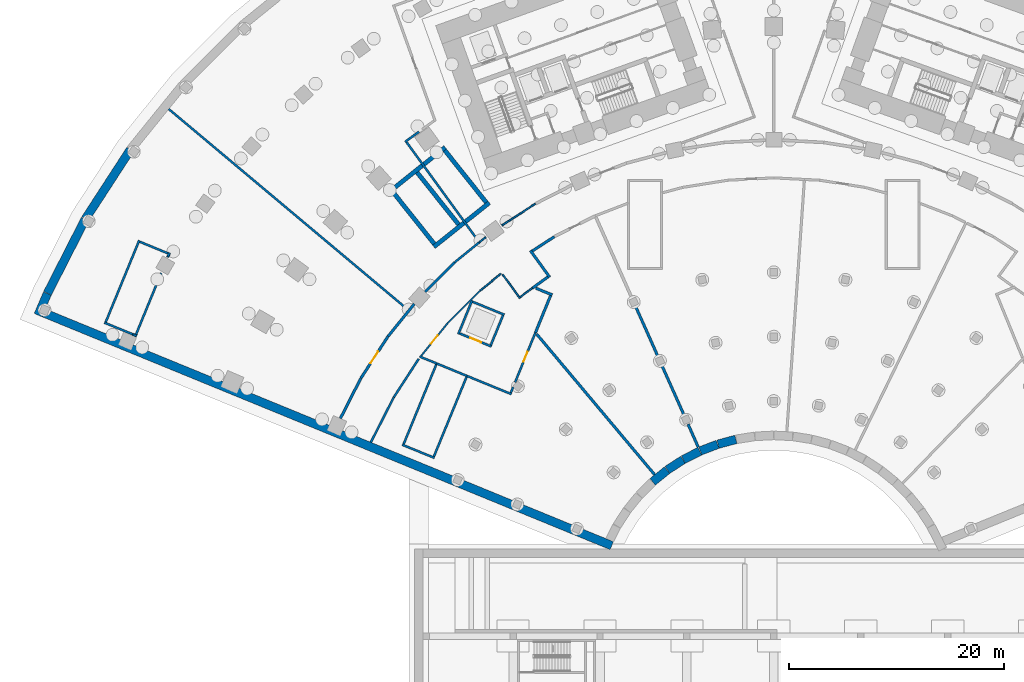
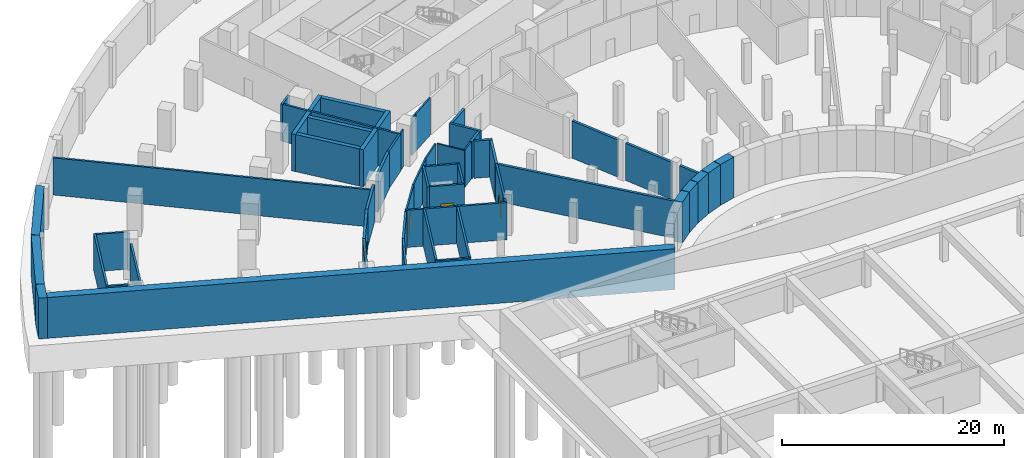
# One storey, part 9 of 25: 59 walls, 4 doors, 4 openings.
"""IFC4 building model written with IfcOpenShell, lengths in metres."""

from ifc_helpers import new_model, si_unit, direction, frame, frame_2d, origin, place, context, subcontext, project, spatial, rectangle, extrude, material, layer, layer_set, type_object, element, fill, save


model = new_model("IFC4")

# Units and contexts
model_context = context("Model", 3, precision=1e-05, world=origin(), true_north=direction((0.0, 1.0)))
body_context = subcontext(model_context, "Body", "Model", "MODEL_VIEW")
ifc_project = project(units=[si_unit("LENGTHUNIT", "METRE"), si_unit("AREAUNIT", "SQUARE_METRE"), si_unit("VOLUMEUNIT", "CUBIC_METRE"), si_unit("PLANEANGLEUNIT", "RADIAN"), si_unit("MASSUNIT", "GRAM", prefix="KILO")], contexts=[model_context])

# Site, building, storey
site_placement = place(None, origin())
site = spatial("IfcSite", under=ifc_project, at=site_placement, CompositionType="ELEMENT")
building_placement = place(site_placement, origin())
building = spatial("IfcBuilding", under=site, at=building_placement, Name="Stone Belt Terrace Tower", CompositionType="ELEMENT")
storey_placement = place(building_placement, frame((0.0, 0.0, -13.5)))
storey = spatial("IfcBuildingStorey", under=building, at=storey_placement, Name="B3", CompositionType="ELEMENT", Elevation=-13.5)

# Walls
ifc_material_1 = material(Name="Concrete B30", Category="concrete")
ifc_layer_1 = layer(ifc_material_1, 0.800048828125)
ifc_layer_set_1 = layer_set([ifc_layer_1], Name="Basement wall 800 B30")
wall_type_1 = type_object("IfcWallType", Name="Basement wall 800 B30", PredefinedType="SHEAR", material=ifc_layer_set_1)
for number, where, z_axis, x_axis, name in (
    (1, (-11.29248046875, 12.57275390625, 0.0), (0.0, 0.0, 1.0), (0.777159277127, 0.629303947211, 0.0), "Basement wall B3 5"),
    (2, (-9.916259765625, 13.68408203125, 0.0), (0.0, 0.0, 1.0), (0.83855986691, 0.544809461745, 0.0), "Basement wall B3 6"),
    (3, (-8.431640625, 14.645751953125, 0.0), (0.0, 0.0, 1.0), (0.890980157198, 0.454042244157, 0.0), "Basement wall B3 7"),
    (4, (-6.8544921875, 15.447021484375, 0.0), (0.0, 0.0, 1.0), (0.933582227874, 0.358363256763, 0.0), "Basement wall B3 8"),
    (5, (-5.202392578125, 16.078857421875, 0.0), (0.0, 0.0, 1.0), (0.965922180197, 0.258832652121, 0.0), "Basement wall B3 9"),
):
    element("IfcWall", number, at=place(storey_placement, frame(where, z_axis=z_axis, x_axis=x_axis)), inside=storey, type_object=wall_type_1, Name=name, PredefinedType="SHEAR", context=body_context, shape_type="SweptSolid", body=[
        extrude(rectangle(XDim=1.72705078125, YDim=0.800048828125, at=frame_2d((0.863525390625, 0.0))), origin(), (0.0, 0.0, 1.0), 4.5),
    ])
wall_1_placement = place(storey_placement, frame((-59.958984375, 43.537109375, 0.0), z_axis=(0.0, 0.0, 1.0), x_axis=(-0.544654589696, -0.838660466412, 0.0)))
element("IfcWall", 6, at=wall_1_placement, inside=storey, type_object=wall_type_1, Name="Basement wall B3 45", PredefinedType="SHEAR", context=body_context, shape_type="SweptSolid", body=[
    extrude(rectangle(XDim=7.71435546875, YDim=0.800048828125, at=frame_2d((3.857177734375, 0.0))), origin(), (0.0, 0.0, 1.0), 4.5),
])
wall_2_placement = place(storey_placement, frame((-64.181396484375, 37.031005859375, 0.0), z_axis=(0.0, 0.0, 1.0), x_axis=(-0.453998176185, -0.891002612803, 0.0)))
element("IfcWall", 7, at=wall_2_placement, inside=storey, type_object=wall_type_1, Name="Basement wall B3 46", PredefinedType="SHEAR", context=body_context, shape_type="SweptSolid", body=[
    extrude(rectangle(XDim=7.729248046875, YDim=0.800048828125, at=frame_2d((3.86474609375, 0.0))), origin(), (0.0, 0.0, 1.0), 4.5),
])
wall_3_placement = place(storey_placement, frame((-67.701904296875, 30.119873046875, 0.0), z_axis=(0.0, 0.0, 1.0), x_axis=(-0.39301958046, -0.919530102485, 0.0)))
element("IfcWall", 8, at=wall_3_placement, inside=storey, type_object=wall_type_1, Name="Basement wall B3 47", PredefinedType="SHEAR", context=body_context, shape_type="SweptSolid", body=[
    extrude(rectangle(XDim=2.194580078125, YDim=0.800048828125, at=frame_2d((1.09716796875, 0.0))), origin(), (0.0, 0.0, 1.0), 4.5),
])
wall_4_placement = place(storey_placement, frame((-68.037109375, 28.318115234375, 0.0), z_axis=(0.0, 0.0, 1.0), x_axis=(0.925297576328, -0.37924186905, 0.0)))
element("IfcWall", 9, at=wall_4_placement, inside=storey, type_object=wall_type_1, Name="Basement wall B3 48", PredefinedType="SHEAR", context=body_context, shape_type="SweptSolid", body=[
    extrude(rectangle(XDim=57.199951171875, YDim=0.800048828125, at=frame_2d((28.60009765625, 0.0))), origin(), (0.0, 0.0, 1.0), 4.5),
])
ifc_layer_2 = layer(ifc_material_1, 0.25)
ifc_layer_set_2 = layer_set([ifc_layer_2], Name="Compartment wall 250")
wall_type_2 = type_object("IfcWallType", Name="Compartment wall 250", PredefinedType="SOLIDWALL", material=ifc_layer_set_2)
wall_5_placement = place(storey_placement, frame((-40.39208984375, 18.488037109375, 0.0), z_axis=(0.0, 0.0, 1.0), x_axis=(0.454112038916, 0.890944586443, 0.0)))
element("IfcWall", 10, at=wall_5_placement, inside=storey, type_object=wall_type_2, Name="Compartment wall B3 1", PredefinedType="SOLIDWALL", context=body_context, shape_type="SweptSolid", body=[
    extrude(rectangle(XDim=4.18212890625, YDim=0.25, at=frame_2d((2.091064453125, 0.0))), origin(), (0.0, 0.0, 1.0), 4.10009765625),
])

# Wall, opening, door
wall_6_placement = place(storey_placement, frame((-38.486572265625, 22.2255859375, 0.0), z_axis=(0.0, 0.0, 1.0), x_axis=(0.544253220019, 0.838920993002, 0.0)))
wall_6 = element("IfcWall", 11, at=wall_6_placement, inside=storey, type_object=wall_type_2, Name="Compartment wall B3 2", PredefinedType="SOLIDWALL", context=body_context, shape_type="SweptSolid", body=[
    extrude(rectangle(XDim=4.635498046875, YDim=0.25, at=frame_2d((2.31787109375, 0.0))), origin(), (0.0, 0.0, 1.0), 4.10009765625),
])
opening_1_placement = place(wall_6_placement, frame((1.667724609375, 0.0, 0.0)))
opening_1 = element("IfcOpeningElement", 12, at=opening_1_placement, cuts=wall_6, Name="Opening B3-P09", PredefinedType="OPENING", context=body_context, shape_type="SweptSolid", body=[
    extrude(rectangle(XDim=1.300048828125, YDim=2.10009765625, at=frame_2d((0.64990234375, 1.050048828125))), frame((0.0, 0.135009765625, 0.0), z_axis=(0.0, -1.0, 0.0), x_axis=(1.0, 0.0, 0.0)), (0.0, 0.0, 1.0), 0.27001953125),
])
ifc_material_2 = material(Name="Steel framed fire door leaf", Category="steel")
door_type_1 = type_object("IfcDoorType", Name="Fire door 1300 x 2100 EI 60", OperationType="SINGLE_SWING_LEFT", PredefinedType="DOOR", material=ifc_material_2)
door_1_placement = place(opening_1_placement, origin())
door_1 = element("IfcDoor", 13, at=door_1_placement, inside=storey, type_object=door_type_1, Name="Fire door 1300 x 2100 EI 60", OperationType="SINGLE_SWING_LEFT", OverallHeight=2.10009765625, OverallWidth=1.300048828125, PredefinedType="DOOR", context=body_context, shape_type="SweptSolid", body=[
    extrude(rectangle(XDim=1.300048828125, YDim=2.10009765625, at=frame_2d((0.64990234375, 1.050048828125))), frame((0.0, 0.02490234375, 0.0), z_axis=(0.0, -1.0, 0.0), x_axis=(1.0, 0.0, 0.0)), (0.0, 0.0, 1.0), 0.050048828125),
])
fill(opening_1, door_1)

# Walls
wall_7_placement = place(storey_placement, frame((-35.955810546875, 26.125, 0.0), z_axis=(0.0, 0.0, 1.0), x_axis=(0.629104116974, 0.777321046934, 0.0)))
element("IfcWall", 14, at=wall_7_placement, inside=storey, type_object=wall_type_2, Name="Compartment wall B3 3", PredefinedType="SOLIDWALL", context=body_context, shape_type="SweptSolid", body=[
    extrude(rectangle(XDim=3.880859375, YDim=0.25, at=frame_2d((1.9404296875, 0.0))), origin(), (0.0, 0.0, 1.0), 4.10009765625),
])
wall_8_placement = place(storey_placement, frame((-32.4853515625, 30.28466796875, 0.0), z_axis=(0.0, 0.0, 1.0), x_axis=(0.707106781187, 0.707106781187, 0.0)))
element("IfcWall", 15, at=wall_8_placement, inside=storey, type_object=wall_type_2, Name="Compartment wall B3 4", PredefinedType="SOLIDWALL", context=body_context, shape_type="SweptSolid", body=[
    extrude(rectangle(XDim=3.8759765625, YDim=0.25, at=frame_2d((1.93798828125, 0.0))), origin(), (0.0, 0.0, 1.0), 4.10009765625),
])
ifc_material_3 = material(Name="Reinforced blockwork wall, plastered both faces", Category="masonry")
ifc_layer_3 = layer(ifc_material_3, 0.25)
ifc_layer_set_3 = layer_set([ifc_layer_3], Name="Podium bund wall 250")
wall_type_3 = type_object("IfcWallType", Name="Podium bund wall 250", PredefinedType="SOLIDWALL", material=ifc_layer_set_3)
wall_9_placement = place(storey_placement, frame((-22.683349609375, 34.121337890625, 0.0), z_axis=(0.0, 0.0, 1.0), x_axis=(0.586261092782, -0.810122170472, 0.0)))
element("IfcWall", 16, at=wall_9_placement, inside=storey, type_object=wall_type_3, Name="Podium bund wall 250", PredefinedType="SOLIDWALL", context=body_context, shape_type="SweptSolid", body=[
    extrude(rectangle(XDim=3.064453125, YDim=0.25, at=frame_2d((1.5322265625, 0.0))), origin(), (0.0, 0.0, 1.0), 4.10009765625),
])
wall_10_placement = place(storey_placement, frame((-22.5048828125, 34.088134765625, 0.0), z_axis=(0.0, 0.0, 1.0), x_axis=(0.839132707477, 0.543926740694, 0.0)))
element("IfcWall", 17, at=wall_10_placement, inside=storey, type_object=wall_type_3, Name="Podium bund wall 250", PredefinedType="SOLIDWALL", context=body_context, shape_type="SweptSolid", body=[
    extrude(rectangle(XDim=2.442138671875, YDim=0.25, at=frame_2d((1.22119140625, 0.0))), origin(), (0.0, 0.0, 1.0), 4.10009765625),
])
wall_11_placement = place(storey_placement, frame((-22.509033203125, 30.61328125, 0.0), z_axis=(0.0, 0.0, 1.0), x_axis=(0.808700705156, 0.588220340928, 0.0)))
element("IfcWall", 18, at=wall_11_placement, inside=storey, type_object=wall_type_3, Name="Podium bund wall 250", PredefinedType="SOLIDWALL", context=body_context, shape_type="SweptSolid", body=[
    extrude(rectangle(XDim=1.79052734375, YDim=0.25, at=frame_2d((0.895263671875, 0.0))), origin(), (0.0, 0.0, 1.0), 4.10009765625),
])
wall_12_placement = place(storey_placement, frame((-22.18115234375, 30.615478515625, 0.0), z_axis=(0.0, 0.0, 1.0), x_axis=(0.926915113616, -0.375271064899, 0.0)))
element("IfcWall", 19, at=wall_12_placement, inside=storey, type_object=wall_type_3, Name="Podium bund wall 250", PredefinedType="SOLIDWALL", context=body_context, shape_type="SweptSolid", body=[
    extrude(rectangle(XDim=1.658203125, YDim=0.25, at=frame_2d((0.8291015625, 0.0))), origin(), (0.0, 0.0, 1.0), 4.10009765625),
])
wall_13_placement = place(storey_placement, frame((-22.219970703125, 26.469970703125, 0.0), z_axis=(0.0, 0.0, 1.0), x_axis=(0.378508027221, 0.925598008495, 0.0)))
element("IfcWall", 20, at=wall_13_placement, inside=storey, type_object=wall_type_3, Name="Podium bund wall 250", PredefinedType="SOLIDWALL", context=body_context, shape_type="SweptSolid", body=[
    extrude(rectangle(XDim=3.73193359375, YDim=0.25, at=frame_2d((1.865966796875, 0.0))), origin(), (0.0, 0.0, 1.0), 4.10009765625),
])
wall_14_placement = place(storey_placement, frame((-22.10498046875, 26.343017578125, 0.0), z_axis=(0.0, 0.0, 1.0), x_axis=(0.642794683569, -0.766038507372, 0.0)))
element("IfcWall", 21, at=wall_14_placement, inside=storey, type_object=wall_type_3, Name="Podium bund wall 250", PredefinedType="SOLIDWALL", context=body_context, shape_type="SweptSolid", body=[
    extrude(rectangle(XDim=17.10546875, YDim=0.25, at=frame_2d((8.552734375, 0.0))), origin(), (0.0, 0.0, 1.0), 4.10009765625),
])
for number, where, z_axis, x_axis, name in (
    (22, (-12.878173828125, 28.91162109375, 0.0), (0.0, 0.0, 1.0), (0.406746861095, -0.913540908219, 0.0), "Podium bund wall 250"),
    (23, (-10.4375, 23.430419921875, 0.0), (0.0, 0.0, 1.0), (0.406746861095, -0.913540908219, 0.0), "Podium bund wall 250"),
):
    element("IfcWall", number, at=place(storey_placement, frame(where, z_axis=z_axis, x_axis=x_axis)), inside=storey, type_object=wall_type_3, Name=name, PredefinedType="SOLIDWALL", context=body_context, shape_type="SweptSolid", body=[
        extrude(rectangle(XDim=5.10009765625, YDim=0.25, at=frame_2d((2.550048828125, 0.0))), origin(), (0.0, 0.0, 1.0), 4.10009765625),
    ])
wall_15_placement = place(storey_placement, frame((-7.9970703125, 17.94921875, 0.0), z_axis=(0.0, 0.0, 1.0), x_axis=(0.406755168967, -0.913537209159, 0.0)))
element("IfcWall", 24, at=wall_15_placement, inside=storey, type_object=wall_type_3, Name="Podium bund wall 250", PredefinedType="SOLIDWALL", context=body_context, shape_type="SweptSolid", body=[
    extrude(rectangle(XDim=2.350341796875, YDim=0.25, at=frame_2d((1.17529296875, 0.0))), origin(), (0.0, 0.0, 1.0), 4.10009765625),
])
ifc_material_4 = material(Name="Blockwork wall, plastered both faces", Category="masonry")
ifc_layer_4 = layer(ifc_material_4, 0.199951171875)
ifc_layer_set_4 = layer_set([ifc_layer_4], Name="Podium demising wall 200")
wall_type_4 = type_object("IfcWallType", Name="Podium demising wall 200", PredefinedType="PARTITIONING", material=ifc_layer_set_4)
wall_16_placement = place(storey_placement, frame((-56.388427734375, 47.30859375, 0.0), z_axis=(0.0, 0.0, 1.0), x_axis=(0.766140216412, -0.642673454249, 0.0)))
element("IfcWall", 25, at=wall_16_placement, inside=storey, type_object=wall_type_4, Name="Podium demising wall 200", PredefinedType="PARTITIONING", context=body_context, shape_type="SweptSolid", body=[
    extrude(rectangle(XDim=29.087158203125, YDim=0.199951171875, at=frame_2d((14.54345703125, 0.0))), origin(), (0.0, 0.0, 1.0), 4.10009765625),
])
wall_17_placement = place(storey_placement, frame((-37.550537109375, 16.264892578125, 0.0), z_axis=(0.0, 0.0, 1.0), x_axis=(0.453666479384, 0.891171546608, 0.0)))
element("IfcWall", 26, at=wall_17_placement, inside=storey, type_object=wall_type_4, Name="Podium demising wall 200", PredefinedType="PARTITIONING", context=body_context, shape_type="SweptSolid", body=[
    extrude(rectangle(XDim=4.682861328125, YDim=0.199951171875, at=frame_2d((2.34130859375, 0.0))), origin(), (0.0, 0.0, 1.0), 4.10009765625),
])
wall_18_placement = place(storey_placement, frame((-35.4169921875, 20.454345703125, 0.0), z_axis=(0.0, 0.0, 1.0), x_axis=(0.544379260043, 0.838839210597, 0.0)))
element("IfcWall", 27, at=wall_18_placement, inside=storey, type_object=wall_type_4, Name="Podium demising wall 200", PredefinedType="PARTITIONING", context=body_context, shape_type="SweptSolid", body=[
    extrude(rectangle(XDim=4.27001953125, YDim=0.199951171875, at=frame_2d((2.135009765625, 0.0))), origin(), (0.0, 0.0, 1.0), 4.10009765625),
])
wall_19_placement = place(storey_placement, frame((-34.370849609375, 44.251220703125, 0.0), z_axis=(0.0, 0.0, 1.0), x_axis=(0.809241899996, 0.587475571654, 0.0)))
element("IfcWall", 28, at=wall_19_placement, inside=storey, type_object=wall_type_4, Name="Podium demising wall 200", PredefinedType="PARTITIONING", context=body_context, shape_type="SweptSolid", body=[
    extrude(rectangle(XDim=1.606201171875, YDim=0.199951171875, at=frame_2d((0.80322265625, 0.0))), origin(), (0.0, 0.0, 1.0), 4.10009765625),
])
wall_20_placement = place(storey_placement, frame((-34.231201171875, 44.22900390625, 0.0), z_axis=(0.0, 0.0, 1.0), x_axis=(0.58755870692, -0.80918154077, 0.0)))
element("IfcWall", 29, at=wall_20_placement, inside=storey, type_object=wall_type_4, Name="Podium demising wall 200", PredefinedType="PARTITIONING", context=body_context, shape_type="SweptSolid", body=[
    extrude(rectangle(XDim=11.441162109375, YDim=0.199951171875, at=frame_2d((5.720703125, 0.0))), origin(), (0.0, 0.0, 1.0), 4.10009765625),
])
wall_21_placement = place(storey_placement, frame((-33.012451171875, 24.24951171875, 0.0), z_axis=(0.0, 0.0, 1.0), x_axis=(0.925948983582, -0.377648619492, 0.0)))
element("IfcWall", 30, at=wall_21_placement, inside=storey, type_object=wall_type_4, Name="Podium demising wall 200", PredefinedType="PARTITIONING", context=body_context, shape_type="SweptSolid", body=[
    extrude(rectangle(XDim=1.7197265625, YDim=0.199951171875, at=frame_2d((0.85986328125, 0.0))), origin(), (0.0, 0.0, 1.0), 4.10009765625),
])
wall_22_placement = place(storey_placement, frame((-29.736083984375, 33.033203125, 0.0), z_axis=(0.0, 0.0, 1.0), x_axis=(0.776212887967, 0.630470897468, 0.0)))
element("IfcWall", 31, at=wall_22_placement, inside=storey, type_object=wall_type_4, Name="Podium demising wall 200", PredefinedType="PARTITIONING", context=body_context, shape_type="SweptSolid", body=[
    extrude(rectangle(XDim=2.94482421875, YDim=0.199951171875, at=frame_2d((1.472412109375, 0.0))), origin(), (0.0, 0.0, 1.0), 4.10009765625),
])
wall_23_placement = place(storey_placement, frame((-28.599853515625, 22.43994140625, 0.0), z_axis=(0.0, 0.0, 1.0), x_axis=(0.92529917807, -0.379237961001, 0.0)))
element("IfcWall", 32, at=wall_23_placement, inside=storey, type_object=wall_type_4, Name="Podium demising wall 200", PredefinedType="PARTITIONING", context=body_context, shape_type="SweptSolid", body=[
    extrude(rectangle(XDim=4.476806640625, YDim=0.199951171875, at=frame_2d((2.23828125, 0.0))), origin(), (0.0, 0.0, 1.0), 4.10009765625),
])
wall_24_placement = place(storey_placement, frame((-24.51220703125, 20.87255859375, 0.0), z_axis=(0.0, 0.0, 1.0), x_axis=(0.378280918499, 0.92569084834, 0.0)))
element("IfcWall", 33, at=wall_24_placement, inside=storey, type_object=wall_type_4, Name="Podium demising wall 200", PredefinedType="PARTITIONING", context=body_context, shape_type="SweptSolid", body=[
    extrude(rectangle(XDim=0.5673828125, YDim=0.199951171875, at=frame_2d((0.28369140625, 0.0))), origin(), (0.0, 0.0, 1.0), 4.10009765625),
])

# Wall, opening, door
wall_25_placement = place(storey_placement, frame((-24.11376953125, 21.84716796875, 0.0), z_axis=(0.0, 0.0, 1.0), x_axis=(0.378358735117, 0.925659044984, 0.0)))
wall_25 = element("IfcWall", 34, at=wall_25_placement, inside=storey, type_object=wall_type_4, Name="Podium demising wall 200", PredefinedType="PARTITIONING", context=body_context, shape_type="SweptSolid", body=[
    extrude(rectangle(XDim=4.994384765625, YDim=0.199951171875, at=frame_2d((2.4970703125, 0.0))), origin(), (0.0, 0.0, 1.0), 4.10009765625),
])
opening_2_placement = place(wall_25_placement, frame((2.072998046875, 0.0, 0.0)))
opening_2 = element("IfcOpeningElement", 35, at=opening_2_placement, cuts=wall_25, Name="Opening B3-P03", PredefinedType="OPENING", context=body_context, shape_type="SweptSolid", body=[
    extrude(rectangle(XDim=1.0, YDim=2.10009765625, at=frame_2d((0.5, 1.050048828125))), frame((0.0, 0.10986328125, 0.0), z_axis=(0.0, -1.0, 0.0), x_axis=(1.0, 0.0, 0.0)), (0.0, 0.0, 1.0), 0.219970703125),
])
ifc_material_5 = material(Name="Steel framed door leaf", Category="steel")
door_type_2 = type_object("IfcDoorType", Name="Podium door single 1000", OperationType="SINGLE_SWING_LEFT", PredefinedType="DOOR", material=ifc_material_5)
door_2_placement = place(opening_2_placement, origin())
door_2 = element("IfcDoor", 36, at=door_2_placement, inside=storey, type_object=door_type_2, Name="Podium door single 1000", OperationType="SINGLE_SWING_LEFT", OverallHeight=2.10009765625, OverallWidth=1.0, PredefinedType="DOOR", context=body_context, shape_type="SweptSolid", body=[
    extrude(rectangle(XDim=1.0, YDim=2.10009765625, at=frame_2d((0.5, 1.050048828125))), frame((0.0, 0.02490234375, 0.0), z_axis=(0.0, -1.0, 0.0), x_axis=(1.0, 0.0, 0.0)), (0.0, 0.0, 1.0), 0.050048828125),
])
fill(opening_2, door_2)

# Wall
ifc_layer_5 = layer(ifc_material_3, 0.199951171875)
ifc_layer_set_5 = layer_set([ifc_layer_5], Name="Podium lift shaft wall 200")
wall_type_5 = type_object("IfcWallType", Name="Podium lift shaft wall 200", PredefinedType="SOLIDWALL", material=ifc_layer_set_5)
wall_26_placement = place(storey_placement, frame((-29.40771484375, 26.33740234375, 0.0), z_axis=(0.0, 0.0, 1.0), x_axis=(0.378305478066, 0.925680811762, 0.0)))
element("IfcWall", 37, at=wall_26_placement, inside=storey, type_object=wall_type_5, Name="Podium lift shaft wall 200", PredefinedType="SOLIDWALL", context=body_context, shape_type="SweptSolid", body=[
    extrude(rectangle(XDim=3.397705078125, YDim=0.199951171875, at=frame_2d((1.69873046875, 0.0))), origin(), (0.0, 0.0, 1.0), 4.10009765625),
])

# Wall, opening, door
wall_27_placement = place(storey_placement, frame((-29.27734375, 26.39208984375, 0.0), z_axis=(0.0, 0.0, 1.0), x_axis=(0.92564908085, -0.378383111571, 0.0)))
wall_27 = element("IfcWall", 38, at=wall_27_placement, inside=storey, type_object=wall_type_5, Name="Podium lift shaft wall 200", PredefinedType="SOLIDWALL", context=body_context, shape_type="SweptSolid", body=[
    extrude(rectangle(XDim=3.19775390625, YDim=0.199951171875, at=frame_2d((1.598876953125, 0.0))), origin(), (0.0, 0.0, 1.0), 4.10009765625),
])
opening_3_placement = place(wall_27_placement, frame((1.048828125, 0.0, 0.0)))
opening_3 = element("IfcOpeningElement", 39, at=opening_3_placement, cuts=wall_27, Name="Opening B3-P01", PredefinedType="OPENING", context=body_context, shape_type="SweptSolid", body=[
    extrude(rectangle(XDim=1.10009765625, YDim=2.10009765625, at=frame_2d((0.550048828125, 1.050048828125))), frame((0.0, 0.10986328125, 0.0), z_axis=(0.0, -1.0, 0.0), x_axis=(1.0, 0.0, 0.0)), (0.0, 0.0, 1.0), 0.219970703125),
])
ifc_material_6 = material(Name="Stainless steel sliding landing door leaf", Category="steel")
door_type_3 = type_object("IfcDoorType", Name="Podium landing door 1100", OperationType="SLIDING_TO_LEFT", PredefinedType="DOOR", material=ifc_material_6)
door_3_placement = place(opening_3_placement, origin())
door_3 = element("IfcDoor", 40, at=door_3_placement, inside=storey, type_object=door_type_3, Name="Podium landing door 1100", OperationType="SLIDING_TO_LEFT", OverallHeight=2.10009765625, OverallWidth=1.10009765625, PredefinedType="DOOR", context=body_context, shape_type="SweptSolid", body=[
    extrude(rectangle(XDim=1.10009765625, YDim=2.10009765625, at=frame_2d((0.550048828125, 1.050048828125))), frame((0.0, 0.02490234375, 0.0), z_axis=(0.0, -1.0, 0.0), x_axis=(1.0, 0.0, 0.0)), (0.0, 0.0, 1.0), 0.050048828125),
])
fill(opening_3, door_3)

# Walls
wall_28_placement = place(storey_placement, frame((-28.0673828125, 29.352294921875, 0.0), z_axis=(0.0, 0.0, 1.0), x_axis=(0.925622338254, -0.378448526124, 0.0)))
element("IfcWall", 41, at=wall_28_placement, inside=storey, type_object=wall_type_5, Name="Podium lift shaft wall 200", PredefinedType="SOLIDWALL", context=body_context, shape_type="SweptSolid", body=[
    extrude(rectangle(XDim=3.19775390625, YDim=0.199951171875, at=frame_2d((1.598876953125, 0.0))), origin(), (0.0, 0.0, 1.0), 4.10009765625),
])
wall_29_placement = place(storey_placement, frame((-26.372314453125, 25.3125, 0.0), z_axis=(0.0, 0.0, 1.0), x_axis=(0.378442575395, 0.925624771237, 0.0)))
element("IfcWall", 42, at=wall_29_placement, inside=storey, type_object=wall_type_5, Name="Podium lift shaft wall 200", PredefinedType="SOLIDWALL", context=body_context, shape_type="SweptSolid", body=[
    extrude(rectangle(XDim=2.997802734375, YDim=0.199951171875, at=frame_2d((1.4990234375, 0.0))), origin(), (0.0, 0.0, 1.0), 4.10009765625),
])

# Wall, opening, door
ifc_material_7 = material(Name="Gypsum board on steel stud partition", Category="steel")
ifc_layer_6 = layer(ifc_material_7, 0.14990234375)
ifc_layer_set_6 = layer_set([ifc_layer_6], Name="Podium partition 150")
wall_type_6 = type_object("IfcWallType", Name="Podium partition 150", PredefinedType="PARTITIONING", material=ifc_layer_set_6)
wall_30_placement = place(storey_placement, frame((-32.8603515625, 24.318359375, 0.0), z_axis=(0.0, 0.0, 1.0), x_axis=(0.62917853157, 0.777260815564, 0.0)))
wall_30 = element("IfcWall", 43, at=wall_30_placement, inside=storey, type_object=wall_type_6, Name="Podium partition 150", PredefinedType="PARTITIONING", context=body_context, shape_type="SweptSolid", body=[
    extrude(rectangle(XDim=3.922119140625, YDim=0.14990234375, at=frame_2d((1.9609375, 0.0))), origin(), (0.0, 0.0, 1.0), 4.10009765625),
])
opening_4_placement = place(wall_30_placement, frame((1.4501953125, 0.0, 0.0)))
opening_4 = element("IfcOpeningElement", 44, at=opening_4_placement, cuts=wall_30, Name="Opening B3-P17", PredefinedType="OPENING", context=body_context, shape_type="SweptSolid", body=[
    extrude(rectangle(XDim=1.0, YDim=2.10009765625, at=frame_2d((0.5, 1.050048828125))), frame((0.0, 0.0849609375, 0.0), z_axis=(0.0, -1.0, 0.0), x_axis=(1.0, 0.0, 0.0)), (0.0, 0.0, 1.0), 0.169921875),
])
door_4_placement = place(opening_4_placement, origin())
door_4 = element("IfcDoor", 45, at=door_4_placement, inside=storey, type_object=door_type_2, Name="Podium door single 1000", OperationType="SINGLE_SWING_LEFT", OverallHeight=2.10009765625, OverallWidth=1.0, PredefinedType="DOOR", context=body_context, shape_type="SweptSolid", body=[
    extrude(rectangle(XDim=1.0, YDim=2.10009765625, at=frame_2d((0.5, 1.050048828125))), frame((0.0, 0.02490234375, 0.0), z_axis=(0.0, -1.0, 0.0), x_axis=(1.0, 0.0, 0.0)), (0.0, 0.0, 1.0), 0.050048828125),
])
fill(opening_4, door_4)

# Walls
wall_31_placement = place(storey_placement, frame((-30.38720703125, 27.372802734375, 0.0), z_axis=(0.0, 0.0, 1.0), x_axis=(0.707106781187, 0.707106781187, 0.0)))
element("IfcWall", 46, at=wall_31_placement, inside=storey, type_object=wall_type_6, Name="Podium partition 150", PredefinedType="PARTITIONING", context=body_context, shape_type="SweptSolid", body=[
    extrude(rectangle(XDim=4.262939453125, YDim=0.14990234375, at=frame_2d((2.13134765625, 0.0))), origin(), (0.0, 0.0, 1.0), 4.10009765625),
])
wall_32_placement = place(storey_placement, frame((-27.449951171875, 34.89013671875, 0.0), z_axis=(0.0, 0.0, 1.0), x_axis=(0.779230244659, 0.626737764786, 0.0)))
element("IfcWall", 47, at=wall_32_placement, inside=storey, type_object=wall_type_6, Name="Podium partition 150", PredefinedType="PARTITIONING", context=body_context, shape_type="SweptSolid", body=[
    extrude(rectangle(XDim=0.771728515625, YDim=0.14990234375, at=frame_2d((0.3857421875, 0.0))), origin(), (0.0, 0.0, 1.0), 4.10009765625),
])
wall_33_placement = place(storey_placement, frame((-27.366943359375, 30.392333984375, 0.0), z_axis=(0.0, 0.0, 1.0), x_axis=(0.775732065022, 0.631062408401, 0.0)))
element("IfcWall", 48, at=wall_33_placement, inside=storey, type_object=wall_type_6, Name="Podium partition 150", PredefinedType="PARTITIONING", context=body_context, shape_type="SweptSolid", body=[
    extrude(rectangle(XDim=2.484130859375, YDim=0.14990234375, at=frame_2d((1.2421875, 0.0))), origin(), (0.0, 0.0, 1.0), 4.10009765625),
])
wall_34_placement = place(storey_placement, frame((-25.34375, 36.462890625, 0.0), z_axis=(0.0, 0.0, 1.0), x_axis=(0.839322427223, 0.543633942244, 0.0)))
element("IfcWall", 49, at=wall_34_placement, inside=storey, type_object=wall_type_6, Name="Podium partition 150", PredefinedType="PARTITIONING", context=body_context, shape_type="SweptSolid", body=[
    extrude(rectangle(XDim=0.76708984375, YDim=0.14990234375, at=frame_2d((0.383544921875, 0.0))), origin(), (0.0, 0.0, 1.0), 4.10009765625),
])
wall_35_placement = place(storey_placement, frame((-25.27001953125, 31.889892578125, 0.0), z_axis=(0.0, 0.0, 1.0), x_axis=(0.587267804514, -0.809392689479, 0.0)))
element("IfcWall", 50, at=wall_35_placement, inside=storey, type_object=wall_type_6, Name="Podium partition 150", PredefinedType="PARTITIONING", context=body_context, shape_type="SweptSolid", body=[
    extrude(rectangle(XDim=2.731201171875, YDim=0.14990234375, at=frame_2d((1.36572265625, 0.0))), origin(), (0.0, 0.0, 1.0), 4.10009765625),
])
wall_36_placement = place(storey_placement, frame((-24.699951171875, 36.8798828125, 0.0), z_axis=(0.0, 0.0, 1.0), x_axis=(0.838730636124, 0.544546526963, 0.0)))
element("IfcWall", 51, at=wall_36_placement, inside=storey, type_object=wall_type_6, Name="Podium partition 150", PredefinedType="PARTITIONING", context=body_context, shape_type="SweptSolid", body=[
    extrude(rectangle(XDim=2.95263671875, YDim=0.14990234375, at=frame_2d((1.476318359375, 0.0))), origin(), (0.0, 0.0, 1.0), 4.10009765625),
])
wall_37_placement = place(storey_placement, frame((-23.649658203125, 29.784423828125, 0.0), z_axis=(0.0, 0.0, 1.0), x_axis=(0.805804200188, 0.592182058964, 0.0)))
element("IfcWall", 52, at=wall_37_placement, inside=storey, type_object=wall_type_6, Name="Podium partition 150", PredefinedType="PARTITIONING", context=body_context, shape_type="SweptSolid", body=[
    extrude(rectangle(XDim=1.4091796875, YDim=0.14990234375, at=frame_2d((0.70458984375, 0.0))), origin(), (0.0, 0.0, 1.0), 4.10009765625),
])
ifc_layer_7 = layer(ifc_material_1, 0.199951171875)
ifc_layer_set_7 = layer_set([ifc_layer_7], Name="Podium stair and shaft wall 200")
wall_type_7 = type_object("IfcWallType", Name="Podium stair and shaft wall 200", PredefinedType="SOLIDWALL", material=ifc_layer_set_7)
wall_38_placement = place(storey_placement, frame((-62.392578125, 27.407958984375, 0.0), z_axis=(0.0, 0.0, 1.0), x_axis=(0.924848362186, -0.380336044783, 0.0)))
element("IfcWall", 53, at=wall_38_placement, inside=storey, type_object=wall_type_7, Name="Podium stair and shaft wall 200", PredefinedType="SOLIDWALL", context=body_context, shape_type="SweptSolid", body=[
    extrude(rectangle(XDim=2.87890625, YDim=0.199951171875, at=frame_2d((1.439453125, 0.0))), origin(), (0.0, 0.0, 1.0), 4.10009765625),
])
wall_39_placement = place(storey_placement, frame((-59.72998046875, 26.31298828125, 0.0), z_axis=(0.0, 0.0, 1.0), x_axis=(0.924841834944, -0.380351916438, 0.0)))
element("IfcWall", 54, at=wall_39_placement, inside=storey, type_object=wall_type_7, Name="Podium stair and shaft wall 200", PredefinedType="SOLIDWALL", context=body_context, shape_type="SweptSolid", body=[
    extrude(rectangle(XDim=0.370361328125, YDim=0.199951171875, at=frame_2d((0.18505859375, 0.0))), origin(), (0.0, 0.0, 1.0), 4.10009765625),
])
wall_40_placement = place(storey_placement, frame((-62.26220703125, 27.46240234375, 0.0), z_axis=(0.0, 0.0, 1.0), x_axis=(0.379350485872, 0.925253051261, 0.0)))
element("IfcWall", 55, at=wall_40_placement, inside=storey, type_object=wall_type_7, Name="Podium stair and shaft wall 200", PredefinedType="SOLIDWALL", context=body_context, shape_type="SweptSolid", body=[
    extrude(rectangle(XDim=8.224853515625, YDim=0.199951171875, at=frame_2d((4.1123046875, 0.0))), origin(), (0.0, 0.0, 1.0), 4.10009765625),
])
wall_41_placement = place(storey_placement, frame((-59.442138671875, 26.302490234375, 0.0), z_axis=(0.0, 0.0, 1.0), x_axis=(0.37933470683, 0.925259520456, 0.0)))
element("IfcWall", 56, at=wall_41_placement, inside=storey, type_object=wall_type_7, Name="Podium stair and shaft wall 200", PredefinedType="SOLIDWALL", context=body_context, shape_type="SweptSolid", body=[
    extrude(rectangle(XDim=6.18896484375, YDim=0.199951171875, at=frame_2d((3.094482421875, 0.0))), origin(), (0.0, 0.0, 1.0), 4.10009765625),
])
wall_42_placement = place(storey_placement, frame((-56.48291015625, 33.5205078125, 0.0), z_axis=(0.0, 0.0, 1.0), x_axis=(0.379619568947, 0.92514268244, 0.0)))
element("IfcWall", 57, at=wall_42_placement, inside=storey, type_object=wall_type_7, Name="Podium stair and shaft wall 200", PredefinedType="SOLIDWALL", context=body_context, shape_type="SweptSolid", body=[
    extrude(rectangle(XDim=0.423828125, YDim=0.199951171875, at=frame_2d((0.2119140625, 0.0))), origin(), (0.0, 0.0, 1.0), 4.10009765625),
])
wall_43_placement = place(storey_placement, frame((-59.08740234375, 34.94189453125, 0.0), z_axis=(0.0, 0.0, 1.0), x_axis=(0.924804041084, -0.380443800835, 0.0)))
element("IfcWall", 58, at=wall_43_placement, inside=storey, type_object=wall_type_7, Name="Podium stair and shaft wall 200", PredefinedType="SOLIDWALL", context=body_context, shape_type="SweptSolid", body=[
    extrude(rectangle(XDim=2.849365234375, YDim=0.199951171875, at=frame_2d((1.4248046875, 0.0))), origin(), (0.0, 0.0, 1.0), 4.10009765625),
])
wall_44_placement = place(storey_placement, frame((-34.632568359375, 16.02783203125, 0.0), z_axis=(0.0, 0.0, 1.0), x_axis=(0.925955033423, -0.377633785668, 0.0)))
element("IfcWall", 59, at=wall_44_placement, inside=storey, type_object=wall_type_7, Name="Podium stair and shaft wall 200", PredefinedType="SOLIDWALL", context=body_context, shape_type="SweptSolid", body=[
    extrude(rectangle(XDim=3.245361328125, YDim=0.199951171875, at=frame_2d((1.62255859375, 0.0))), origin(), (0.0, 0.0, 1.0), 4.10009765625),
])
wall_45_placement = place(storey_placement, frame((-34.502197265625, 16.08251953125, 0.0), z_axis=(0.0, 0.0, 1.0), x_axis=(0.379344686309, 0.925255429041, 0.0)))
element("IfcWall", 60, at=wall_45_placement, inside=storey, type_object=wall_type_7, Name="Podium stair and shaft wall 200", PredefinedType="SOLIDWALL", context=body_context, shape_type="SweptSolid", body=[
    extrude(rectangle(XDim=8.02490234375, YDim=0.199951171875, at=frame_2d((4.012451171875, 0.0))), origin(), (0.0, 0.0, 1.0), 4.10009765625),
])
wall_46_placement = place(storey_placement, frame((-31.681884765625, 14.9326171875, 0.0), z_axis=(0.0, 0.0, 1.0), x_axis=(0.379767590841, 0.925081929856, 0.0)))
element("IfcWall", 61, at=wall_46_placement, inside=storey, type_object=wall_type_7, Name="Podium stair and shaft wall 200", PredefinedType="SOLIDWALL", context=body_context, shape_type="SweptSolid", body=[
    extrude(rectangle(XDim=8.015380859375, YDim=0.199951171875, at=frame_2d((4.0078125, 0.0))), origin(), (0.0, 0.0, 1.0), 4.10009765625),
])
wall_47_placement = place(storey_placement, frame((-31.419921875, 23.599853515625, 0.0), z_axis=(0.0, 0.0, 1.0), x_axis=(0.924815674246, -0.380415521068, 0.0)))
element("IfcWall", 62, at=wall_47_placement, inside=storey, type_object=wall_type_7, Name="Podium stair and shaft wall 200", PredefinedType="SOLIDWALL", context=body_context, shape_type="SweptSolid", body=[
    extrude(rectangle(XDim=3.049072265625, YDim=0.199951171875, at=frame_2d((1.5244140625, 0.0))), origin(), (0.0, 0.0, 1.0), 4.10009765625),
])
ifc_material_8 = material(Name="Concrete B80", Category="concrete")
ifc_layer_8 = layer(ifc_material_8, 0.39990234375)
ifc_layer_set_8 = layer_set([ifc_layer_8], Name="Stair enclosure wall 400")
wall_type_8 = type_object("IfcWallType", Name="Stair enclosure wall 400", PredefinedType="SHEAR", material=ifc_layer_set_8)
for number, where, z_axis, x_axis, name in (
    (63, (-26.518798828125, 38.58154296875, 0.0), (0.0, 0.0, 1.0), (-0.782133914161, -0.623110375711, 0.0), "Exit stair ST3A wall base"),
    (64, (-30.63134765625, 43.74365234375, 0.0), (0.0, 0.0, 1.0), (-0.782133914161, -0.623110375711, 0.0), "Exit stair ST3A wall base"),
):
    element("IfcWall", number, at=place(storey_placement, frame(where, z_axis=z_axis, x_axis=x_axis)), inside=storey, type_object=wall_type_8, Name=name, PredefinedType="SHEAR", context=body_context, shape_type="SweptSolid", body=[
        extrude(rectangle(XDim=6.60009765625, YDim=0.39990234375, at=frame_2d((3.300048828125, 0.0))), origin(), (0.0, 0.0, 1.0), 4.10009765625),
    ])
for number, where, z_axis, x_axis, name in (
    (65, (-26.7998046875, 38.61328125, 0.0), (0.0, 0.0, 1.0), (-0.623118653668, 0.782127319208, 0.0), "Exit stair ST3A wall base"),
    (66, (-31.64892578125, 34.75, 0.0), (0.0, 0.0, 1.0), (-0.623118653668, 0.782127319208, 0.0), "Exit stair ST3A wall base"),
):
    element("IfcWall", number, at=place(storey_placement, frame(where, z_axis=z_axis, x_axis=x_axis)), inside=storey, type_object=wall_type_8, Name=name, PredefinedType="SHEAR", context=body_context, shape_type="SweptSolid", body=[
        extrude(rectangle(XDim=6.199951171875, YDim=0.39990234375, at=frame_2d((3.10009765625, 0.0))), origin(), (0.0, 0.0, 1.0), 4.10009765625),
    ])
wall_48_placement = place(storey_placement, frame((-29.380859375, 36.556884765625, 0.0), z_axis=(0.0, 0.0, 1.0), x_axis=(-0.623099462847, 0.782142608097, 0.0)))
element("IfcWall", 67, at=wall_48_placement, inside=storey, type_object=wall_type_8, Name="Exit stair ST3A wall base", PredefinedType="SHEAR", context=body_context, shape_type="SweptSolid", body=[
    extrude(rectangle(XDim=6.2001953125, YDim=0.39990234375, at=frame_2d((3.10009765625, 0.0))), origin(), (0.0, 0.0, 1.0), 4.10009765625),
])

save(model, "model.ifc")
